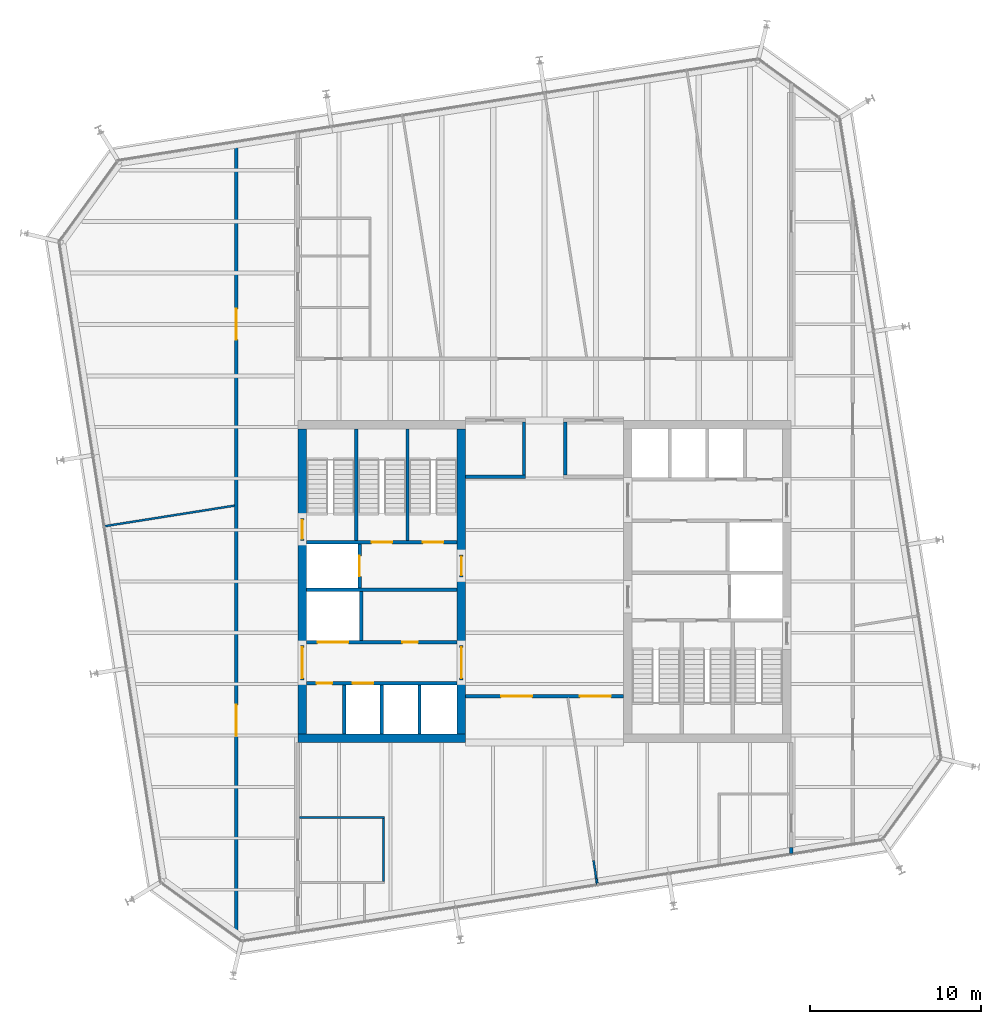
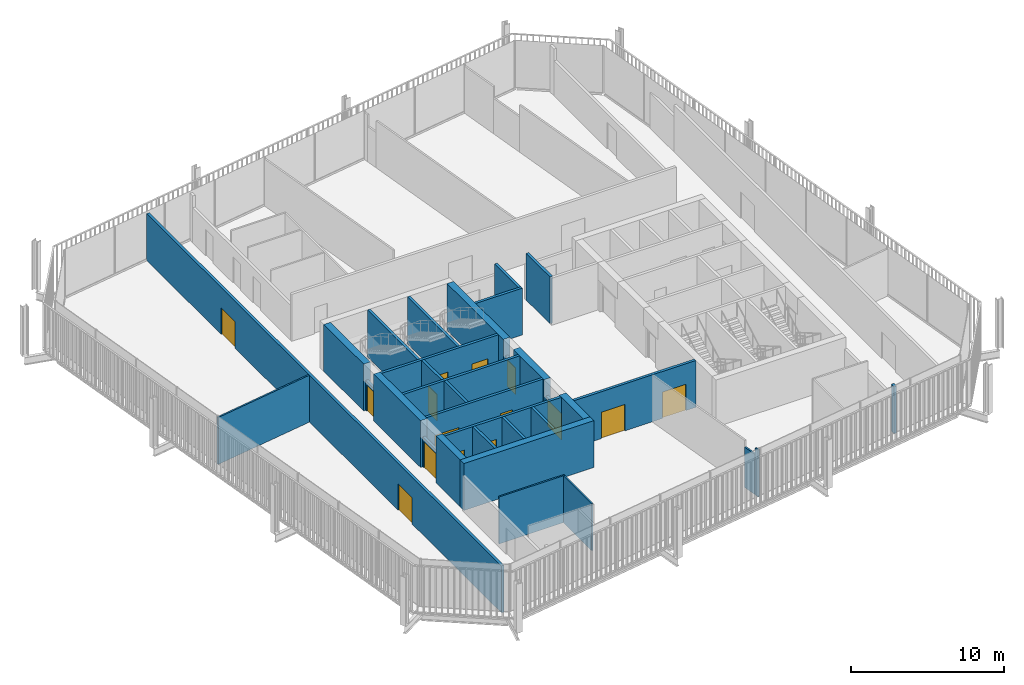
# One storey, part 16 of 20: 33 walls, 15 doors, 15 openings.
"""IFC4 building model written with IfcOpenShell, lengths in metres."""

from ifc_helpers import new_model, si_unit, direction, frame, frame_2d, origin, place, context, subcontext, project, spatial, rectangle, extrude, material, layer, layer_set, type_object, element, fill, save


model = new_model("IFC4")

# Units and contexts
model_context = context("Model", 3, precision=1e-05, world=origin(), true_north=direction((0.0, 1.0)))
body_context = subcontext(model_context, "Body", "Model", "MODEL_VIEW")
ifc_project = project(units=[si_unit("LENGTHUNIT", "METRE"), si_unit("AREAUNIT", "SQUARE_METRE"), si_unit("VOLUMEUNIT", "CUBIC_METRE"), si_unit("PLANEANGLEUNIT", "RADIAN"), si_unit("MASSUNIT", "GRAM", prefix="KILO")], contexts=[model_context])

# Site, building, storey
site_placement = place(None, origin())
site = spatial("IfcSite", under=ifc_project, at=site_placement, CompositionType="ELEMENT")
building_placement = place(site_placement, origin())
building = spatial("IfcBuilding", under=site, at=building_placement, Name="Millrace Tower", CompositionType="ELEMENT")
storey_placement = place(building_placement, frame((0.0, 0.0, 224.199951171875)))
storey = spatial("IfcBuildingStorey", under=building, at=storey_placement, Name="L51", CompositionType="ELEMENT", Elevation=224.199951171875)

# Walls
ifc_material_1 = material(Name="Concrete C60", Category="concrete")
ifc_layer_1 = layer(ifc_material_1, 0.5)
ifc_layer_set_1 = layer_set([ifc_layer_1], Name="Concrete C60")
wall_type_1 = type_object("IfcWallType", Name="Core wall 500 Concrete C60", PredefinedType="SHEAR", material=ifc_layer_set_1)
wall_1_placement = place(storey_placement, frame((-14.39990234375, -9.14990234375, 0.0), z_axis=(0.0, 0.0, 1.0), x_axis=(1.0, 0.0, 0.0)))
element("IfcWall", 1, at=wall_1_placement, inside=storey, type_object=wall_type_1, Name="Core wall W L51", PredefinedType="SHEAR", context=body_context, shape_type="SweptSolid", body=[
    extrude(rectangle(XDim=9.7998046875, YDim=0.5, at=frame_2d((4.89990234375, 0.0))), origin(), (0.0, 0.0, 1.0), 3.739990234375),
])
wall_2_placement = place(storey_placement, frame((-14.14990234375, -8.89990234375, 0.0), z_axis=(0.0, 0.0, 1.0), x_axis=(0.0, 1.0, 0.0)))
element("IfcWall", 2, at=wall_2_placement, inside=storey, type_object=wall_type_1, Name="Core wall W L51", PredefinedType="SHEAR", context=body_context, shape_type="SweptSolid", body=[
    extrude(rectangle(XDim=3.14990234375, YDim=0.5, at=frame_2d((1.574951171875, 0.0))), origin(), (0.0, 0.0, 1.0), 3.739990234375),
])
wall_3_placement = place(storey_placement, frame((-14.14990234375, -3.75, 0.0), z_axis=(0.0, 0.0, 1.0), x_axis=(0.0, 1.0, 0.0)))
element("IfcWall", 3, at=wall_3_placement, inside=storey, type_object=wall_type_1, Name="Core wall W L51", PredefinedType="SHEAR", context=body_context, shape_type="SweptSolid", body=[
    extrude(rectangle(XDim=6.1298828125, YDim=0.5, at=frame_2d((3.06494140625, 0.0))), origin(), (0.0, 0.0, 1.0), 3.739990234375),
])
wall_4_placement = place(storey_placement, frame((-14.14990234375, 3.679931640625, 0.0), z_axis=(0.0, 0.0, 1.0), x_axis=(0.0, 1.0, 0.0)))
element("IfcWall", 4, at=wall_4_placement, inside=storey, type_object=wall_type_1, Name="Core wall W L51", PredefinedType="SHEAR", context=body_context, shape_type="SweptSolid", body=[
    extrude(rectangle(XDim=5.219970703125, YDim=0.5, at=frame_2d((2.60986328125, 0.0))), origin(), (0.0, 0.0, 1.0), 3.739990234375),
])
wall_5_placement = place(storey_placement, frame((-4.85009765625, -8.89990234375, 0.0), z_axis=(0.0, 0.0, 1.0), x_axis=(0.0, 1.0, 0.0)))
element("IfcWall", 5, at=wall_5_placement, inside=storey, type_object=wall_type_1, Name="Core wall W L51", PredefinedType="SHEAR", context=body_context, shape_type="SweptSolid", body=[
    extrude(rectangle(XDim=3.14990234375, YDim=0.5, at=frame_2d((1.574951171875, 0.0))), origin(), (0.0, 0.0, 1.0), 3.739990234375),
])
wall_6_placement = place(storey_placement, frame((-4.85009765625, -3.75, 0.0), z_axis=(0.0, 0.0, 1.0), x_axis=(0.0, 1.0, 0.0)))
element("IfcWall", 6, at=wall_6_placement, inside=storey, type_object=wall_type_1, Name="Core wall W L51", PredefinedType="SHEAR", context=body_context, shape_type="SweptSolid", body=[
    extrude(rectangle(XDim=4.0, YDim=0.5, at=frame_2d((2.0, 0.0))), origin(), (0.0, 0.0, 1.0), 3.739990234375),
])
wall_7_placement = place(storey_placement, frame((-4.85009765625, 1.550048828125, 0.0), z_axis=(0.0, 0.0, 1.0), x_axis=(0.0, 1.0, 0.0)))
element("IfcWall", 7, at=wall_7_placement, inside=storey, type_object=wall_type_1, Name="Core wall W L51", PredefinedType="SHEAR", context=body_context, shape_type="SweptSolid", body=[
    extrude(rectangle(XDim=7.349853515625, YDim=0.5, at=frame_2d((3.6748046875, 0.0))), origin(), (0.0, 0.0, 1.0), 3.739990234375),
])

# Wall, openings, doors
ifc_material_2 = material(Name="Masonry partition, fire-rated", Category="masonry")
ifc_layer_2 = layer(ifc_material_2, 0.199951171875)
ifc_layer_set_2 = layer_set([ifc_layer_2], Name="Masonry partition, fire-rated")
wall_type_2 = type_object("IfcWallType", Name="Corridor wall 200", PredefinedType="PARTITIONING", material=ifc_layer_set_2)
wall_8_placement = place(storey_placement, frame((-4.60009765625, -6.699951171875, 0.0), z_axis=(0.0, 0.0, 1.0), x_axis=(1.0, 0.0, 0.0)))
wall_8 = element("IfcWall", 8, at=wall_8_placement, inside=storey, type_object=wall_type_2, Name="Corridor wall L51", PredefinedType="PARTITIONING", context=body_context, shape_type="SweptSolid", body=[
    extrude(rectangle(XDim=9.2001953125, YDim=0.199951171875, at=frame_2d((4.60009765625, 0.0))), origin(), (0.0, 0.0, 1.0), 3.739990234375),
])
opening_1_placement = place(wall_8_placement, frame((2.070068359375, 0.0, 0.0)))
opening_1 = element("IfcOpeningElement", 9, at=opening_1_placement, cuts=wall_8, Name="Opening 51-P014", PredefinedType="OPENING", context=body_context, shape_type="SweptSolid", body=[
    extrude(rectangle(XDim=1.800048828125, YDim=2.10009765625, at=frame_2d((0.89990234375, 1.050048828125))), frame((0.0, 0.10986328125, 0.0), z_axis=(0.0, -1.0, 0.0), x_axis=(1.0, 0.0, 0.0)), (0.0, 0.0, 1.0), 0.219970703125),
])
opening_2_placement = place(wall_8_placement, frame((6.669921875, 0.0, 0.0)))
opening_2 = element("IfcOpeningElement", 10, at=opening_2_placement, cuts=wall_8, Name="Opening 51-P017", PredefinedType="OPENING", context=body_context, shape_type="SweptSolid", body=[
    extrude(rectangle(XDim=1.800048828125, YDim=2.10009765625, at=frame_2d((0.89990234375, 1.050048828125))), frame((0.0, 0.10986328125, 0.0), z_axis=(0.0, -1.0, 0.0), x_axis=(1.0, 0.0, 0.0)), (0.0, 0.0, 1.0), 0.219970703125),
])
ifc_material_3 = material(Name="Steel door set, fire-rated", Category="steel")
door_type_1 = type_object("IfcDoorType", Name="Corridor door 1800 x 2100", OperationType="DOUBLE_DOOR_SINGLE_SWING", PredefinedType="DOOR", material=ifc_material_3)
door_1_placement = place(opening_1_placement, origin())
door_1 = element("IfcDoor", 11, at=door_1_placement, inside=storey, type_object=door_type_1, Name="Door 51-P014", OperationType="DOUBLE_DOOR_SINGLE_SWING", OverallHeight=2.10009765625, OverallWidth=1.800048828125, PredefinedType="DOOR", context=body_context, shape_type="SweptSolid", body=[
    extrude(rectangle(XDim=1.800048828125, YDim=2.10009765625, at=frame_2d((0.89990234375, 1.050048828125))), frame((0.0, 0.02490234375, 0.0), z_axis=(0.0, -1.0, 0.0), x_axis=(1.0, 0.0, 0.0)), (0.0, 0.0, 1.0), 0.050048828125),
])
fill(opening_1, door_1)
door_2_placement = place(opening_2_placement, frame((1.800048828125, 0.0, 0.0), z_axis=(0.0, 0.0, 1.0), x_axis=(-1.0, 0.0, 0.0)))
door_2 = element("IfcDoor", 12, at=door_2_placement, inside=storey, type_object=door_type_1, Name="Door 51-P017", OperationType="DOUBLE_DOOR_SINGLE_SWING", OverallHeight=2.10009765625, OverallWidth=1.800048828125, PredefinedType="DOOR", context=body_context, shape_type="SweptSolid", body=[
    extrude(rectangle(XDim=1.800048828125, YDim=2.10009765625, at=frame_2d((0.89990234375, 1.050048828125))), frame((0.0, 0.02490234375, 0.0), z_axis=(0.0, -1.0, 0.0), x_axis=(1.0, 0.0, 0.0)), (0.0, 0.0, 1.0), 0.050048828125),
])
fill(opening_2, door_2)

# Walls
wall_9_placement = place(storey_placement, frame((-4.60009765625, 6.10009765625, 0.0), z_axis=(0.0, 0.0, 1.0), x_axis=(1.0, 0.0, 0.0)))
element("IfcWall", 13, at=wall_9_placement, inside=storey, type_object=wall_type_2, Name="Corridor wall L51", PredefinedType="PARTITIONING", context=body_context, shape_type="SweptSolid", body=[
    extrude(rectangle(XDim=3.5, YDim=0.199951171875, at=frame_2d((1.75, 0.0))), origin(), (0.0, 0.0, 1.0), 3.739990234375),
])
wall_10_placement = place(storey_placement, frame((14.39990234375, -15.87451171875, 0.0), z_axis=(0.0, 0.0, 1.0), x_axis=(0.0, 1.0, 0.0)))
element("IfcWall", 14, at=wall_10_placement, inside=storey, type_object=wall_type_2, Name="Corridor wall L51", PredefinedType="PARTITIONING", context=body_context, shape_type="SweptSolid", body=[
    extrude(rectangle(XDim=0.349609375, YDim=0.199951171875, at=frame_2d((0.1748046875, 0.0))), origin(), (0.0, 0.0, 1.0), 3.739990234375),
])
for number, where, z_axis, x_axis, name in (
    (15, (1.199951171875, 6.199951171875, 0.0), (0.0, 0.0, 1.0), (0.0, 1.0, 0.0), "Corridor wall L51"),
    (16, (-1.199951171875, 6.199951171875, 0.0), (0.0, 0.0, 1.0), (0.0, 1.0, 0.0), "Corridor wall L51"),
):
    element("IfcWall", number, at=place(storey_placement, frame(where, z_axis=z_axis, x_axis=x_axis)), inside=storey, type_object=wall_type_2, Name=name, PredefinedType="PARTITIONING", context=body_context, shape_type="SweptSolid", body=[
        extrude(rectangle(XDim=3.10009765625, YDim=0.199951171875, at=frame_2d((1.550048828125, 0.0))), origin(), (0.0, 0.0, 1.0), 3.739990234375),
    ])

# Wall, openings, doors
wall_11_placement = place(storey_placement, frame((-18.0, -20.72021484375, 0.0), z_axis=(0.0, 0.0, 1.0), x_axis=(0.0, 1.0, 0.0)))
wall_11 = element("IfcWall", 17, at=wall_11_placement, inside=storey, type_object=wall_type_2, Name="Corridor wall L51", PredefinedType="PARTITIONING", context=body_context, shape_type="SweptSolid", body=[
    extrude(rectangle(XDim=46.34814453125, YDim=0.199951171875, at=frame_2d((23.174072265625, 0.0))), origin(), (0.0, 0.0, 1.0), 3.739990234375),
])
opening_3_placement = place(wall_11_placement, frame((11.709716796875, 0.0, 0.0)))
opening_3 = element("IfcOpeningElement", 18, at=opening_3_placement, cuts=wall_11, Name="Opening 51-P003", PredefinedType="OPENING", context=body_context, shape_type="SweptSolid", body=[
    extrude(rectangle(XDim=1.800048828125, YDim=2.10009765625, at=frame_2d((0.89990234375, 1.050048828125))), frame((0.0, 0.10986328125, 0.0), z_axis=(0.0, -1.0, 0.0), x_axis=(1.0, 0.0, 0.0)), (0.0, 0.0, 1.0), 0.219970703125),
])
opening_4_placement = place(wall_11_placement, frame((34.8271484375, 0.0, 0.0)))
opening_4 = element("IfcOpeningElement", 19, at=opening_4_placement, cuts=wall_11, Name="Opening 51-P004", PredefinedType="OPENING", context=body_context, shape_type="SweptSolid", body=[
    extrude(rectangle(XDim=1.800048828125, YDim=2.10009765625, at=frame_2d((0.89990234375, 1.050048828125))), frame((0.0, 0.10986328125, 0.0), z_axis=(0.0, -1.0, 0.0), x_axis=(1.0, 0.0, 0.0)), (0.0, 0.0, 1.0), 0.219970703125),
])
door_3_placement = place(opening_3_placement, origin())
door_3 = element("IfcDoor", 20, at=door_3_placement, inside=storey, type_object=door_type_1, Name="Door 51-P003", OperationType="DOUBLE_DOOR_SINGLE_SWING", OverallHeight=2.10009765625, OverallWidth=1.800048828125, PredefinedType="DOOR", context=body_context, shape_type="SweptSolid", body=[
    extrude(rectangle(XDim=1.800048828125, YDim=2.10009765625, at=frame_2d((0.89990234375, 1.050048828125))), frame((0.0, 0.02490234375, 0.0), z_axis=(0.0, -1.0, 0.0), x_axis=(1.0, 0.0, 0.0)), (0.0, 0.0, 1.0), 0.050048828125),
])
fill(opening_3, door_3)
door_4_placement = place(opening_4_placement, frame((1.800048828125, 0.0, 0.0), z_axis=(0.0, 0.0, 1.0), x_axis=(-1.0, 0.0, 0.0)))
door_4 = element("IfcDoor", 21, at=door_4_placement, inside=storey, type_object=door_type_1, Name="Door 51-P004", OperationType="DOUBLE_DOOR_SINGLE_SWING", OverallHeight=2.10009765625, OverallWidth=1.800048828125, PredefinedType="DOOR", context=body_context, shape_type="SweptSolid", body=[
    extrude(rectangle(XDim=1.800048828125, YDim=2.10009765625, at=frame_2d((0.89990234375, 1.050048828125))), frame((0.0, 0.02490234375, 0.0), z_axis=(0.0, -1.0, 0.0), x_axis=(1.0, 0.0, 0.0)), (0.0, 0.0, 1.0), 0.050048828125),
])
fill(opening_4, door_4)

ifc_material_4 = material(Name="Masonry partition, fire-rated", Category="masonry")
ifc_layer_3 = layer(ifc_material_4, 0.199951171875)
ifc_layer_set_3 = layer_set([ifc_layer_3], Name="Masonry partition, fire-rated")
wall_type_3 = type_object("IfcWallType", Name="Lift shaft wall 200", PredefinedType="PARTITIONING", material=ifc_layer_set_3)
wall_12_placement = place(storey_placement, frame((-13.89990234375, -5.949951171875, 0.0), z_axis=(0.0, 0.0, 1.0), x_axis=(1.0, 0.0, 0.0)))
wall_12 = element("IfcWall", 22, at=wall_12_placement, inside=storey, type_object=wall_type_3, Name="Lift shaft wall W L51", PredefinedType="PARTITIONING", context=body_context, shape_type="SweptSolid", body=[
    extrude(rectangle(XDim=8.7998046875, YDim=0.199951171875, at=frame_2d((4.39990234375, 0.0))), origin(), (0.0, 0.0, 1.0), 3.739990234375),
])
opening_5_placement = place(wall_12_placement, frame((2.699951171875, 0.0, 0.0)))
opening_5 = element("IfcOpeningElement", 23, at=opening_5_placement, cuts=wall_12, Name="Opening 51-LD02", PredefinedType="OPENING", context=body_context, shape_type="SweptSolid", body=[
    extrude(rectangle(XDim=1.199951171875, YDim=2.10009765625, at=frame_2d((0.60009765625, 1.050048828125))), frame((0.0, 0.10986328125, 0.0), z_axis=(0.0, -1.0, 0.0), x_axis=(1.0, 0.0, 0.0)), (0.0, 0.0, 1.0), 0.219970703125),
])
opening_6_placement = place(wall_12_placement, frame((0.60009765625, 0.0, 0.0)))
opening_6 = element("IfcOpeningElement", 24, at=opening_6_placement, cuts=wall_12, Name="Opening 51-C005", PredefinedType="OPENING", context=body_context, shape_type="SweptSolid", body=[
    extrude(rectangle(XDim=0.89990234375, YDim=2.10009765625, at=frame_2d((0.449951171875, 1.050048828125))), frame((0.0, 0.10986328125, 0.0), z_axis=(0.0, -1.0, 0.0), x_axis=(1.0, 0.0, 0.0)), (0.0, 0.0, 1.0), 0.219970703125),
])
ifc_material_5 = material(Name="Stainless steel, fire-rated", Category="steel")
door_type_2 = type_object("IfcDoorType", Name="Lift landing door 1200 x 2100", OperationType="DOUBLE_DOOR_SLIDING", PredefinedType="DOOR", material=ifc_material_5)
door_5_placement = place(opening_5_placement, origin())
door_5 = element("IfcDoor", 25, at=door_5_placement, inside=storey, type_object=door_type_2, Name="Lift landing door LF2 L51", OperationType="DOUBLE_DOOR_SLIDING", OverallHeight=2.10009765625, OverallWidth=1.199951171875, PredefinedType="DOOR", context=body_context, shape_type="SweptSolid", body=[
    extrude(rectangle(XDim=1.199951171875, YDim=2.10009765625, at=frame_2d((0.60009765625, 1.050048828125))), frame((0.0, 0.02490234375, 0.0), z_axis=(0.0, -1.0, 0.0), x_axis=(1.0, 0.0, 0.0)), (0.0, 0.0, 1.0), 0.050048828125),
])
fill(opening_5, door_5)
ifc_material_6 = material(Name="Steel door, fire-rated", Category="steel")
door_type_3 = type_object("IfcDoorType", Name="Service room door 900 x 2100", OperationType="SINGLE_SWING_LEFT", PredefinedType="DOOR", material=ifc_material_6)
door_6_placement = place(opening_6_placement, frame((0.89990234375, 0.0, 0.0), z_axis=(0.0, 0.0, 1.0), x_axis=(-1.0, 0.0, 0.0)))
door_6 = element("IfcDoor", 26, at=door_6_placement, inside=storey, type_object=door_type_3, Name="Service room door 51-C005", OperationType="SINGLE_SWING_RIGHT", OverallHeight=2.10009765625, OverallWidth=0.89990234375, PredefinedType="DOOR", context=body_context, shape_type="SweptSolid", body=[
    extrude(rectangle(XDim=0.89990234375, YDim=2.10009765625, at=frame_2d((0.449951171875, 1.050048828125))), frame((0.0, 0.02490234375, 0.0), z_axis=(0.0, -1.0, 0.0), x_axis=(1.0, 0.0, 0.0)), (0.0, 0.0, 1.0), 0.050048828125),
])
fill(opening_6, door_6)

wall_13_placement = place(storey_placement, frame((-13.89990234375, -3.550048828125, 0.0), z_axis=(0.0, 0.0, 1.0), x_axis=(1.0, 0.0, 0.0)))
wall_13 = element("IfcWall", 27, at=wall_13_placement, inside=storey, type_object=wall_type_3, Name="Lift shaft wall W L51", PredefinedType="PARTITIONING", context=body_context, shape_type="SweptSolid", body=[
    extrude(rectangle(XDim=8.7998046875, YDim=0.199951171875, at=frame_2d((4.39990234375, 0.0))), origin(), (0.0, 0.0, 1.0), 3.739990234375),
])
opening_7_placement = place(wall_13_placement, frame((0.64990234375, 0.0, 0.0)))
opening_7 = element("IfcOpeningElement", 28, at=opening_7_placement, cuts=wall_13, Name="Opening 51-LD05", PredefinedType="OPENING", context=body_context, shape_type="SweptSolid", body=[
    extrude(rectangle(XDim=1.800048828125, YDim=2.10009765625, at=frame_2d((0.89990234375, 1.050048828125))), frame((0.0, 0.10986328125, 0.0), z_axis=(0.0, -1.0, 0.0), x_axis=(1.0, 0.0, 0.0)), (0.0, 0.0, 1.0), 0.219970703125),
])
opening_8_placement = place(wall_13_placement, frame((5.60009765625, 0.0, 0.0)))
opening_8 = element("IfcOpeningElement", 29, at=opening_8_placement, cuts=wall_13, Name="Opening 51-C006", PredefinedType="OPENING", context=body_context, shape_type="SweptSolid", body=[
    extrude(rectangle(XDim=0.89990234375, YDim=2.10009765625, at=frame_2d((0.449951171875, 1.050048828125))), frame((0.0, 0.10986328125, 0.0), z_axis=(0.0, -1.0, 0.0), x_axis=(1.0, 0.0, 0.0)), (0.0, 0.0, 1.0), 0.219970703125),
])
ifc_material_7 = material(Name="Stainless steel, fire-rated", Category="steel")
door_type_4 = type_object("IfcDoorType", Name="Lift landing door 1800 x 2100", OperationType="DOUBLE_DOOR_SLIDING", PredefinedType="DOOR", material=ifc_material_7)
door_7_placement = place(opening_7_placement, origin())
door_7 = element("IfcDoor", 30, at=door_7_placement, inside=storey, type_object=door_type_4, Name="Lift landing door LF5 L51", OperationType="DOUBLE_DOOR_SLIDING", OverallHeight=2.10009765625, OverallWidth=1.800048828125, PredefinedType="DOOR", context=body_context, shape_type="SweptSolid", body=[
    extrude(rectangle(XDim=1.800048828125, YDim=2.10009765625, at=frame_2d((0.89990234375, 1.050048828125))), frame((0.0, 0.02490234375, 0.0), z_axis=(0.0, -1.0, 0.0), x_axis=(1.0, 0.0, 0.0)), (0.0, 0.0, 1.0), 0.050048828125),
])
fill(opening_7, door_7)
door_8_placement = place(opening_8_placement, origin())
door_8 = element("IfcDoor", 31, at=door_8_placement, inside=storey, type_object=door_type_3, Name="Service room door 51-C006", OperationType="SINGLE_SWING_RIGHT", OverallHeight=2.10009765625, OverallWidth=0.89990234375, PredefinedType="DOOR", context=body_context, shape_type="SweptSolid", body=[
    extrude(rectangle(XDim=0.89990234375, YDim=2.10009765625, at=frame_2d((0.449951171875, 1.050048828125))), frame((0.0, 0.02490234375, 0.0), z_axis=(0.0, -1.0, 0.0), x_axis=(1.0, 0.0, 0.0)), (0.0, 0.0, 1.0), 0.050048828125),
])
fill(opening_8, door_8)

# Wall
wall_14_placement = place(storey_placement, frame((-13.89990234375, -0.5, 0.0), z_axis=(0.0, 0.0, 1.0), x_axis=(1.0, 0.0, 0.0)))
element("IfcWall", 32, at=wall_14_placement, inside=storey, type_object=wall_type_3, Name="Lift shaft wall W L51", PredefinedType="PARTITIONING", context=body_context, shape_type="SweptSolid", body=[
    extrude(rectangle(XDim=8.7998046875, YDim=0.199951171875, at=frame_2d((4.39990234375, 0.0))), origin(), (0.0, 0.0, 1.0), 3.739990234375),
])

# Wall, opening, door
wall_15_placement = place(storey_placement, frame((-10.800048828125, -0.39990234375, 0.0), z_axis=(0.0, 0.0, 1.0), x_axis=(0.0, 1.0, 0.0)))
wall_15 = element("IfcWall", 33, at=wall_15_placement, inside=storey, type_object=wall_type_3, Name="Lift shaft wall W L51", PredefinedType="PARTITIONING", context=body_context, shape_type="SweptSolid", body=[
    extrude(rectangle(XDim=2.579833984375, YDim=0.199951171875, at=frame_2d((1.2900390625, 0.0))), origin(), (0.0, 0.0, 1.0), 3.739990234375),
])
opening_9_placement = place(wall_15_placement, frame((0.68994140625, 0.0, 0.0)))
opening_9 = element("IfcOpeningElement", 34, at=opening_9_placement, cuts=wall_15, Name="Opening 51-LD08", PredefinedType="OPENING", context=body_context, shape_type="SweptSolid", body=[
    extrude(rectangle(XDim=1.199951171875, YDim=2.10009765625, at=frame_2d((0.60009765625, 1.050048828125))), frame((0.0, 0.10986328125, 0.0), z_axis=(0.0, -1.0, 0.0), x_axis=(1.0, 0.0, 0.0)), (0.0, 0.0, 1.0), 0.219970703125),
])
door_9_placement = place(opening_9_placement, origin())
door_9 = element("IfcDoor", 35, at=door_9_placement, inside=storey, type_object=door_type_2, Name="Lift landing door LF8 L51", OperationType="DOUBLE_DOOR_SLIDING", OverallHeight=2.10009765625, OverallWidth=1.199951171875, PredefinedType="DOOR", context=body_context, shape_type="SweptSolid", body=[
    extrude(rectangle(XDim=1.199951171875, YDim=2.10009765625, at=frame_2d((0.60009765625, 1.050048828125))), frame((0.0, 0.02490234375, 0.0), z_axis=(0.0, -1.0, 0.0), x_axis=(1.0, 0.0, 0.0)), (0.0, 0.0, 1.0), 0.050048828125),
])
fill(opening_9, door_9)

# Walls
for number, where, z_axis, x_axis, name in (
    (36, (-11.699951171875, -8.89990234375, 0.0), (0.0, 0.0, 1.0), (0.0, 1.0, 0.0), "Lift shaft wall W L51"),
    (37, (-9.5, -8.89990234375, 0.0), (0.0, 0.0, 1.0), (0.0, 1.0, 0.0), "Lift shaft wall W L51"),
    (38, (-7.300048828125, -8.89990234375, 0.0), (0.0, 0.0, 1.0), (0.0, 1.0, 0.0), "Lift shaft wall W L51"),
    (39, (-10.699951171875, -3.449951171875, 0.0), (0.0, 0.0, 1.0), (0.0, 1.0, 0.0), "Lift shaft wall W L51"),
):
    element("IfcWall", number, at=place(storey_placement, frame(where, z_axis=z_axis, x_axis=x_axis)), inside=storey, type_object=wall_type_3, Name=name, PredefinedType="PARTITIONING", context=body_context, shape_type="SweptSolid", body=[
        extrude(rectangle(XDim=2.849853515625, YDim=0.199951171875, at=frame_2d((1.4248046875, 0.0))), origin(), (0.0, 0.0, 1.0), 3.739990234375),
    ])

# Wall, opening, door
ifc_material_8 = material(Name="Masonry partition, fire-rated", Category="masonry")
ifc_layer_4 = layer(ifc_material_8, 0.199951171875)
ifc_layer_set_4 = layer_set([ifc_layer_4], Name="Masonry partition, fire-rated")
wall_type_4 = type_object("IfcWallType", Name="Lobby wall 200", PredefinedType="PARTITIONING", material=ifc_layer_set_4)
wall_16_placement = place(storey_placement, frame((-14.14990234375, -5.75, 0.0), z_axis=(0.0, 0.0, 1.0), x_axis=(0.0, 1.0, 0.0)))
wall_16 = element("IfcWall", 40, at=wall_16_placement, inside=storey, type_object=wall_type_4, Name="Lobby wall W L51", PredefinedType="PARTITIONING", context=body_context, shape_type="SweptSolid", body=[
    extrude(rectangle(XDim=2.0, YDim=0.199951171875, at=frame_2d((1.0, 0.0))), origin(), (0.0, 0.0, 1.0), 2.400146484375),
])
opening_10_placement = place(wall_16_placement, frame((0.10009765625, 0.0, 0.0)))
opening_10 = element("IfcOpeningElement", 41, at=opening_10_placement, cuts=wall_16, Name="Opening 51-C001", PredefinedType="OPENING", context=body_context, shape_type="SweptSolid", body=[
    extrude(rectangle(XDim=1.800048828125, YDim=2.10009765625, at=frame_2d((0.89990234375, 1.050048828125))), frame((0.0, 0.10986328125, 0.0), z_axis=(0.0, -1.0, 0.0), x_axis=(1.0, 0.0, 0.0)), (0.0, 0.0, 1.0), 0.219970703125),
])
ifc_material_9 = material(Name="Steel door, fire-rated", Category="steel")
door_type_5 = type_object("IfcDoorType", Name="Lobby door 1800 x 2100", OperationType="DOUBLE_DOOR_SINGLE_SWING", PredefinedType="DOOR", material=ifc_material_9)
door_10_placement = place(opening_10_placement, origin())
door_10 = element("IfcDoor", 42, at=door_10_placement, inside=storey, type_object=door_type_5, Name="Lobby door 51-C001", OperationType="DOUBLE_DOOR_SINGLE_SWING", OverallHeight=2.10009765625, OverallWidth=1.800048828125, PredefinedType="DOOR", context=body_context, shape_type="SweptSolid", body=[
    extrude(rectangle(XDim=1.800048828125, YDim=2.10009765625, at=frame_2d((0.89990234375, 1.050048828125))), frame((0.0, 0.02490234375, 0.0), z_axis=(0.0, -1.0, 0.0), x_axis=(1.0, 0.0, 0.0)), (0.0, 0.0, 1.0), 0.050048828125),
])
fill(opening_10, door_10)

wall_17_placement = place(storey_placement, frame((-4.85009765625, -5.75, 0.0), z_axis=(0.0, 0.0, 1.0), x_axis=(0.0, 1.0, 0.0)))
wall_17 = element("IfcWall", 43, at=wall_17_placement, inside=storey, type_object=wall_type_4, Name="Lobby wall W L51", PredefinedType="PARTITIONING", context=body_context, shape_type="SweptSolid", body=[
    extrude(rectangle(XDim=2.0, YDim=0.199951171875, at=frame_2d((1.0, 0.0))), origin(), (0.0, 0.0, 1.0), 2.400146484375),
])
opening_11_placement = place(wall_17_placement, frame((0.10009765625, 0.0, 0.0)))
opening_11 = element("IfcOpeningElement", 44, at=opening_11_placement, cuts=wall_17, Name="Opening 51-C003", PredefinedType="OPENING", context=body_context, shape_type="SweptSolid", body=[
    extrude(rectangle(XDim=1.800048828125, YDim=2.10009765625, at=frame_2d((0.89990234375, 1.050048828125))), frame((0.0, 0.10986328125, 0.0), z_axis=(0.0, -1.0, 0.0), x_axis=(1.0, 0.0, 0.0)), (0.0, 0.0, 1.0), 0.219970703125),
])
door_11_placement = place(opening_11_placement, frame((1.800048828125, 0.0, 0.0), z_axis=(0.0, 0.0, 1.0), x_axis=(-1.0, 0.0, 0.0)))
door_11 = element("IfcDoor", 45, at=door_11_placement, inside=storey, type_object=door_type_5, Name="Lobby door 51-C003", OperationType="DOUBLE_DOOR_SINGLE_SWING", OverallHeight=2.10009765625, OverallWidth=1.800048828125, PredefinedType="DOOR", context=body_context, shape_type="SweptSolid", body=[
    extrude(rectangle(XDim=1.800048828125, YDim=2.10009765625, at=frame_2d((0.89990234375, 1.050048828125))), frame((0.0, 0.02490234375, 0.0), z_axis=(0.0, -1.0, 0.0), x_axis=(1.0, 0.0, 0.0)), (0.0, 0.0, 1.0), 0.050048828125),
])
fill(opening_11, door_11)

wall_18_placement = place(storey_placement, frame((-4.85009765625, 0.25, 0.0), z_axis=(0.0, 0.0, 1.0), x_axis=(0.0, 1.0, 0.0)))
wall_18 = element("IfcWall", 46, at=wall_18_placement, inside=storey, type_object=wall_type_4, Name="Lobby wall W L51", PredefinedType="PARTITIONING", context=body_context, shape_type="SweptSolid", body=[
    extrude(rectangle(XDim=1.300048828125, YDim=0.199951171875, at=frame_2d((0.64990234375, 0.0))), origin(), (0.0, 0.0, 1.0), 2.400146484375),
])
opening_12_placement = place(wall_18_placement, frame((0.10009765625, 0.0, 0.0)))
opening_12 = element("IfcOpeningElement", 47, at=opening_12_placement, cuts=wall_18, Name="Opening 51-C004", PredefinedType="OPENING", context=body_context, shape_type="SweptSolid", body=[
    extrude(rectangle(XDim=1.10009765625, YDim=2.10009765625, at=frame_2d((0.550048828125, 1.050048828125))), frame((0.0, 0.10986328125, 0.0), z_axis=(0.0, -1.0, 0.0), x_axis=(1.0, 0.0, 0.0)), (0.0, 0.0, 1.0), 0.219970703125),
])
ifc_material_10 = material(Name="Steel door, fire-rated", Category="steel")
door_type_6 = type_object("IfcDoorType", Name="Lobby door 1100 x 2100", OperationType="SINGLE_SWING_LEFT", PredefinedType="DOOR", material=ifc_material_10)
door_12_placement = place(opening_12_placement, frame((1.10009765625, 0.0, 0.0), z_axis=(0.0, 0.0, 1.0), x_axis=(-1.0, 0.0, 0.0)))
door_12 = element("IfcDoor", 48, at=door_12_placement, inside=storey, type_object=door_type_6, Name="Lobby door 51-C004", OperationType="SINGLE_SWING_RIGHT", OverallHeight=2.10009765625, OverallWidth=1.10009765625, PredefinedType="DOOR", context=body_context, shape_type="SweptSolid", body=[
    extrude(rectangle(XDim=1.10009765625, YDim=2.10009765625, at=frame_2d((0.550048828125, 1.050048828125))), frame((0.0, 0.02490234375, 0.0), z_axis=(0.0, -1.0, 0.0), x_axis=(1.0, 0.0, 0.0)), (0.0, 0.0, 1.0), 0.050048828125),
])
fill(opening_12, door_12)

# Walls
ifc_material_11 = material(Name="Gypsum board partition")
ifc_layer_5 = layer(ifc_material_11, 0.1201171875)
ifc_layer_set_5 = layer_set([ifc_layer_5], Name="Gypsum board partition")
wall_type_5 = type_object("IfcWallType", Name="Partition wall 120", PredefinedType="PARTITIONING", material=ifc_layer_set_5)
wall_19_placement = place(storey_placement, frame((2.858154296875, -16.28759765625, 0.0), z_axis=(0.0, 0.0, 1.0), x_axis=(0.156535041478, -0.987672405603, 0.0)))
element("IfcWall", 49, at=wall_19_placement, inside=storey, type_object=wall_type_5, Name="Partition wall L51", PredefinedType="PARTITIONING", context=body_context, shape_type="SweptSolid", body=[
    extrude(rectangle(XDim=1.072998046875, YDim=0.1201171875, at=frame_2d((0.53662109375, 0.0))), origin(), (0.0, 0.0, 1.0), 3.21435546875),
])
wall_20_placement = place(storey_placement, frame((3.026123046875, -17.347412109375, 0.0), z_axis=(0.0, 0.0, 1.0), x_axis=(0.155730772494, -0.987799537608, 0.0)))
element("IfcWall", 50, at=wall_20_placement, inside=storey, type_object=wall_type_5, Name="Partition wall L51", PredefinedType="PARTITIONING", context=body_context, shape_type="SweptSolid", body=[
    extrude(rectangle(XDim=0.324462890625, YDim=0.1201171875, at=frame_2d((0.162109375, 0.0))), origin(), (0.0, 0.0, 1.0), 3.739990234375),
])
wall_21_placement = place(storey_placement, frame((-14.300048828125, -13.784912109375, 0.0), z_axis=(0.0, 0.0, 1.0), x_axis=(1.0, 0.0, 0.0)))
element("IfcWall", 51, at=wall_21_placement, inside=storey, type_object=wall_type_5, Name="Partition wall L51", PredefinedType="PARTITIONING", context=body_context, shape_type="SweptSolid", body=[
    extrude(rectangle(XDim=4.9599609375, YDim=0.1201171875, at=frame_2d((2.47998046875, 0.0))), origin(), (0.0, 0.0, 1.0), 3.739990234375),
])
wall_22_placement = place(storey_placement, frame((-25.675048828125, 3.22119140625, 0.0), z_axis=(0.0, 0.0, 1.0), x_axis=(0.98768335333, 0.156465950147, 0.0)))
element("IfcWall", 52, at=wall_22_placement, inside=storey, type_object=wall_type_5, Name="Partition wall L51", PredefinedType="PARTITIONING", context=body_context, shape_type="SweptSolid", body=[
    extrude(rectangle(XDim=7.670654296875, YDim=0.1201171875, at=frame_2d((3.83544921875, 0.0))), origin(), (0.0, 0.0, 1.0), 3.739990234375),
])
wall_23_placement = place(storey_placement, frame((-9.39990234375, -17.52490234375, 0.0), z_axis=(0.0, 0.0, 1.0), x_axis=(0.0, 1.0, 0.0)))
element("IfcWall", 53, at=wall_23_placement, inside=storey, type_object=wall_type_5, Name="Partition wall L51", PredefinedType="PARTITIONING", context=body_context, shape_type="SweptSolid", body=[
    extrude(rectangle(XDim=3.679931640625, YDim=0.1201171875, at=frame_2d((1.83984375, 0.0))), origin(), (0.0, 0.0, 1.0), 3.739990234375),
])

# Wall, opening, door
ifc_material_12 = material(Name="Concrete C40", Category="concrete")
ifc_layer_6 = layer(ifc_material_12, 0.199951171875)
ifc_layer_set_6 = layer_set([ifc_layer_6], Name="Concrete C40")
wall_type_6 = type_object("IfcWallType", Name="Stair enclosure wall 200 Concrete C40", PredefinedType="SHEAR", material=ifc_layer_set_6)
wall_24_placement = place(storey_placement, frame((-14.14990234375, 2.3798828125, 0.0), z_axis=(0.0, 0.0, 1.0), x_axis=(0.0, 1.0, 0.0)))
wall_24 = element("IfcWall", 54, at=wall_24_placement, inside=storey, type_object=wall_type_6, Name="Stair enclosure wall W L51", PredefinedType="SHEAR", context=body_context, shape_type="SweptSolid", body=[
    extrude(rectangle(XDim=1.300048828125, YDim=0.199951171875, at=frame_2d((0.64990234375, 0.0))), origin(), (0.0, 0.0, 1.0), 2.400146484375),
])
opening_13_placement = place(wall_24_placement, frame((0.10009765625, 0.0, 0.0)))
opening_13 = element("IfcOpeningElement", 55, at=opening_13_placement, cuts=wall_24, Name="Opening 51-C002", PredefinedType="OPENING", context=body_context, shape_type="SweptSolid", body=[
    extrude(rectangle(XDim=1.10009765625, YDim=2.10009765625, at=frame_2d((0.550048828125, 1.050048828125))), frame((0.0, 0.10986328125, 0.0), z_axis=(0.0, -1.0, 0.0), x_axis=(1.0, 0.0, 0.0)), (0.0, 0.0, 1.0), 0.219970703125),
])
ifc_material_13 = material(Name="Steel door, fire-rated", Category="steel")
door_type_7 = type_object("IfcDoorType", Name="Stair door 1100 x 2100", OperationType="SINGLE_SWING_LEFT", PredefinedType="DOOR", material=ifc_material_13)
door_13_placement = place(opening_13_placement, origin())
door_13 = element("IfcDoor", 56, at=door_13_placement, inside=storey, type_object=door_type_7, Name="Stair door 51-C002", OperationType="SINGLE_SWING_LEFT", OverallHeight=2.10009765625, OverallWidth=1.10009765625, PredefinedType="DOOR", context=body_context, shape_type="SweptSolid", body=[
    extrude(rectangle(XDim=1.10009765625, YDim=2.10009765625, at=frame_2d((0.550048828125, 1.050048828125))), frame((0.0, 0.02490234375, 0.0), z_axis=(0.0, -1.0, 0.0), x_axis=(1.0, 0.0, 0.0)), (0.0, 0.0, 1.0), 0.050048828125),
])
fill(opening_13, door_13)

# Wall, openings, doors
wall_25_placement = place(storey_placement, frame((-13.89990234375, 2.280029296875, 0.0), z_axis=(0.0, 0.0, 1.0), x_axis=(1.0, 0.0, 0.0)))
wall_25 = element("IfcWall", 57, at=wall_25_placement, inside=storey, type_object=wall_type_6, Name="Stair enclosure wall W L51", PredefinedType="SHEAR", context=body_context, shape_type="SweptSolid", body=[
    extrude(rectangle(XDim=8.7998046875, YDim=0.199951171875, at=frame_2d((4.39990234375, 0.0))), origin(), (0.0, 0.0, 1.0), 3.739990234375),
])
opening_14_placement = place(wall_25_placement, frame((3.800048828125, 0.0, 0.0)))
opening_14 = element("IfcOpeningElement", 58, at=opening_14_placement, cuts=wall_25, Name="Opening 51-C007", PredefinedType="OPENING", context=body_context, shape_type="SweptSolid", body=[
    extrude(rectangle(XDim=1.199951171875, YDim=2.10009765625, at=frame_2d((0.60009765625, 1.050048828125))), frame((0.0, 0.10986328125, 0.0), z_axis=(0.0, -1.0, 0.0), x_axis=(1.0, 0.0, 0.0)), (0.0, 0.0, 1.0), 0.219970703125),
])
opening_15_placement = place(wall_25_placement, frame((6.800048828125, 0.0, 0.0)))
opening_15 = element("IfcOpeningElement", 59, at=opening_15_placement, cuts=wall_25, Name="Opening 51-C008", PredefinedType="OPENING", context=body_context, shape_type="SweptSolid", body=[
    extrude(rectangle(XDim=1.199951171875, YDim=2.10009765625, at=frame_2d((0.60009765625, 1.050048828125))), frame((0.0, 0.10986328125, 0.0), z_axis=(0.0, -1.0, 0.0), x_axis=(1.0, 0.0, 0.0)), (0.0, 0.0, 1.0), 0.219970703125),
])
ifc_material_14 = material(Name="Steel door, fire-rated", Category="steel")
door_type_8 = type_object("IfcDoorType", Name="Stair door 1200 x 2100", OperationType="SINGLE_SWING_LEFT", PredefinedType="DOOR", material=ifc_material_14)
door_14_placement = place(opening_14_placement, frame((1.199951171875, 0.0, 0.0), z_axis=(0.0, 0.0, 1.0), x_axis=(-1.0, 0.0, 0.0)))
door_14 = element("IfcDoor", 60, at=door_14_placement, inside=storey, type_object=door_type_8, Name="Stair door 51-C007", OperationType="SINGLE_SWING_RIGHT", OverallHeight=2.10009765625, OverallWidth=1.199951171875, PredefinedType="DOOR", context=body_context, shape_type="SweptSolid", body=[
    extrude(rectangle(XDim=1.199951171875, YDim=2.10009765625, at=frame_2d((0.60009765625, 1.050048828125))), frame((0.0, 0.02490234375, 0.0), z_axis=(0.0, -1.0, 0.0), x_axis=(1.0, 0.0, 0.0)), (0.0, 0.0, 1.0), 0.050048828125),
])
fill(opening_14, door_14)
door_15_placement = place(opening_15_placement, frame((1.199951171875, 0.0, 0.0), z_axis=(0.0, 0.0, 1.0), x_axis=(-1.0, 0.0, 0.0)))
door_15 = element("IfcDoor", 61, at=door_15_placement, inside=storey, type_object=door_type_8, Name="Stair door 51-C008", OperationType="SINGLE_SWING_LEFT", OverallHeight=2.10009765625, OverallWidth=1.199951171875, PredefinedType="DOOR", context=body_context, shape_type="SweptSolid", body=[
    extrude(rectangle(XDim=1.199951171875, YDim=2.10009765625, at=frame_2d((0.60009765625, 1.050048828125))), frame((0.0, 0.02490234375, 0.0), z_axis=(0.0, -1.0, 0.0), x_axis=(1.0, 0.0, 0.0)), (0.0, 0.0, 1.0), 0.050048828125),
])
fill(opening_15, door_15)

# Walls
for number, where, z_axis, x_axis, name in (
    (62, (-11.0, 2.3798828125, 0.0), (0.0, 0.0, 1.0), (0.0, 1.0, 0.0), "Stair enclosure wall W L51"),
    (63, (-8.0, 2.3798828125, 0.0), (0.0, 0.0, 1.0), (0.0, 1.0, 0.0), "Stair enclosure wall W L51"),
):
    element("IfcWall", number, at=place(storey_placement, frame(where, z_axis=z_axis, x_axis=x_axis)), inside=storey, type_object=wall_type_6, Name=name, PredefinedType="SHEAR", context=body_context, shape_type="SweptSolid", body=[
        extrude(rectangle(XDim=6.52001953125, YDim=0.199951171875, at=frame_2d((3.260009765625, 0.0))), origin(), (0.0, 0.0, 1.0), 3.739990234375),
    ])

save(model, "model.ifc")
